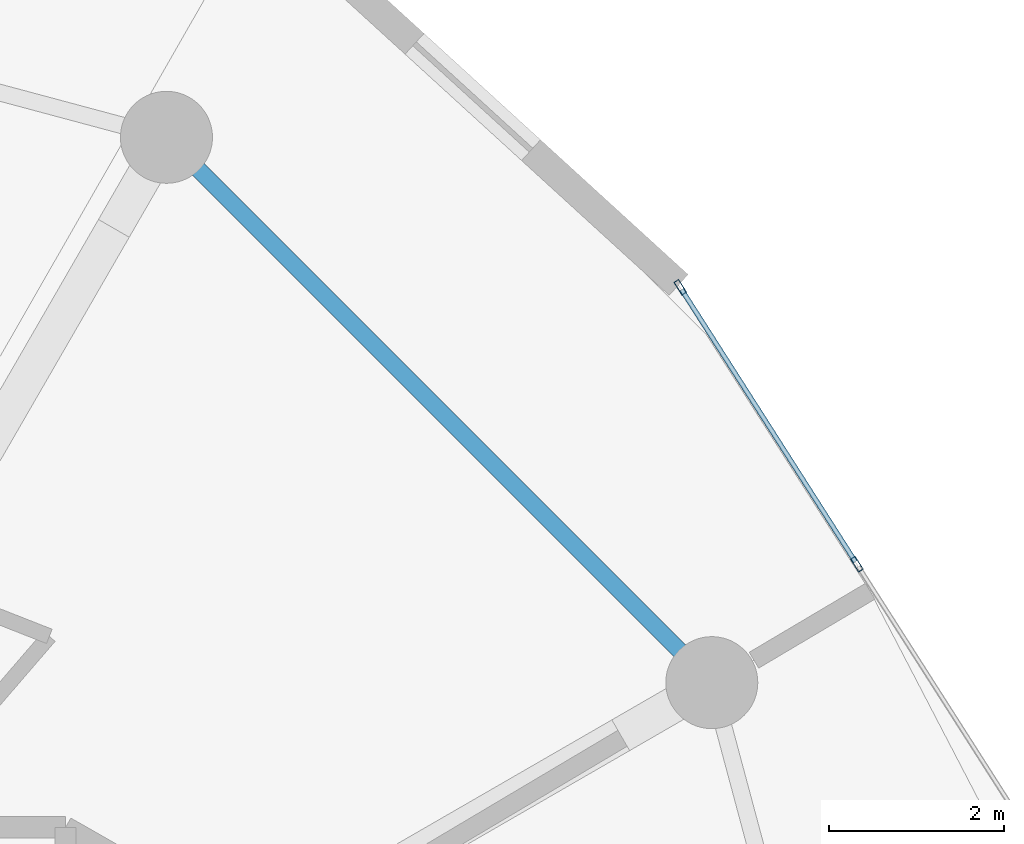
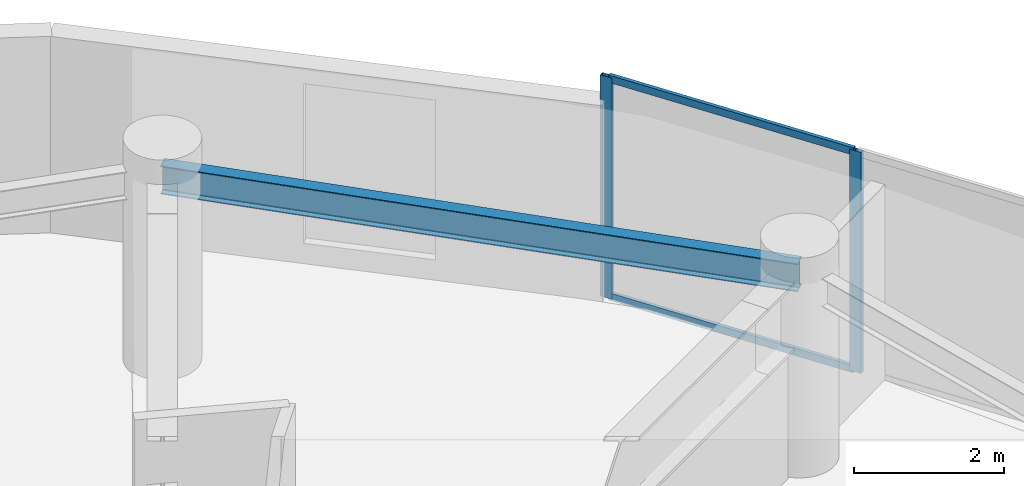
# One storey, part 15 of 22: 4 members, 1 beam, 1 element without a shape of its own.
"""IFC4 building model written with IfcOpenShell, lengths in metres."""

from ifc_helpers import new_model, si_unit, direction, frame, origin, origin_2d, place, context, subcontext, project, spatial, hollow_rectangle, i_section, extrude, source, transform, mapped, material, layer, layer_set, material_profile, profile_set, type_object, element, aggregate, save


model = new_model("IFC4")

# Units and contexts
model_context = context("Model", 3, precision=1e-05, world=origin(), true_north=direction((0.0, 1.0)))
body_context = subcontext(model_context, "Body", "Model", "MODEL_VIEW")
ifc_project = project(units=[si_unit("LENGTHUNIT", "METRE"), si_unit("AREAUNIT", "SQUARE_METRE"), si_unit("VOLUMEUNIT", "CUBIC_METRE"), si_unit("PLANEANGLEUNIT", "RADIAN"), si_unit("MASSUNIT", "GRAM", prefix="KILO")], contexts=[model_context])

# Site, building, storey
site_placement = place(None, origin())
site = spatial("IfcSite", under=ifc_project, at=site_placement, CompositionType="ELEMENT")
building_placement = place(site_placement, origin())
building = spatial("IfcBuilding", under=site, at=building_placement, Name="Solvirekh Grand Hotel", CompositionType="ELEMENT")
storey_placement = place(building_placement, frame((0.0, 0.0, 160.199951171875)))
storey = spatial("IfcBuildingStorey", under=building, at=storey_placement, Name="L41", CompositionType="ELEMENT", Elevation=160.199951171875)

# Beam
ifc_material_1 = material(Name="Steel S355", Category="steel")
ifc_material_profile_1 = material_profile(ifc_material_1, i_section(OverallWidth=0.18994140625, OverallDepth=0.45703125, WebThickness=0.009033203125, FlangeThickness=0.013916015625, FilletRadius=0.012939453125, at=origin_2d()), Name="W460X74")
ifc_profile_set_1 = profile_set([ifc_material_profile_1], Name="Steel S355")
beam_type = type_object("IfcBeamType", Name="Spandrel_Ring_W460", PredefinedType="SPANDREL", material=ifc_profile_set_1)
beam_placement = place(storey_placement, frame((14.721923828125, 8.5, 2.97216796875), z_axis=(-0.707106781187, 0.707106781187, 0.0), x_axis=(-0.707106781187, -0.707106781187, 0.0)))
element("IfcBeam", 1, at=beam_placement, inside=storey, type_object=beam_type, Name="L41 perimeter spandrel beam 2", PredefinedType="SPANDREL", context=body_context, shape_type="SweptSolid", body=[
    extrude(i_section(OverallWidth=0.18994140625, OverallDepth=0.45703125, WebThickness=0.009033203125, FlangeThickness=0.013916015625, FilletRadius=0.012939453125, at=origin_2d()), origin(), (0.0, 0.0, 1.0), 8.799072265625),
])

# Curtain wall, members
ifc_material_2 = material(Name="Anodized Bronze Aluminium 6063-T6", Category="aluminium")
ifc_layer = layer(ifc_material_2, 0.175048828125)
ifc_layer_set = layer_set([ifc_layer], Name="Anodized Bronze Aluminium 6063-T6")
curtain_wall_type = type_object("IfcCurtainWallType", Name="CW_Sys3_MidZoneFlushBronzeCW", PredefinedType="NOTDEFINED", material=ifc_layer_set)
curtain_wall_placement = place(storey_placement, origin())
curtain_wall = element("IfcCurtainWall", 2, at=curtain_wall_placement, inside=storey, type_object=curtain_wall_type, Name="L41 unitised bronze-glass curtain wall CW-L41-C05", PredefinedType="NOTDEFINED")
ifc_material_profile_2 = material_profile(ifc_material_2, hollow_rectangle(XDim=0.06494140625, YDim=0.175048828125, WallThickness=0.0048828125, at=origin_2d()), Name="ALU RHS 175X65X5")
ifc_profile_set_2 = profile_set([ifc_material_profile_2], Name="Anodized Bronze Aluminium 6063-T6")
member_type_1 = type_object("IfcMemberType", Name="CWMullion_Sys3", PredefinedType="MULLION", material=ifc_profile_set_2)
shared_shape_1 = source(origin(), body_context, "Body", "SweptSolid", [
    extrude(hollow_rectangle(XDim=0.06494140625, YDim=0.175048828125, WallThickness=0.0048828125, at=origin_2d()), origin(), (0.0, 0.0, 1.0), 3.60009765625),
])
member_1_placement = place(storey_placement, frame((16.37744140625, 9.85205078125, 0.0), z_axis=(0.0, 0.0, 1.0), x_axis=(-0.842936250751, -0.53801345445, 0.0)))
member_1 = element("IfcMember", 3, at=member_1_placement, type_object=member_type_1, Name="U03 mullion 2", PredefinedType="MULLION", context=body_context, shape_type="MappedRepresentation", body=[
    mapped(shared_shape_1, transform((0.0, 0.0, 0.0), x_axis=(1.0, 0.0, 0.0), y_axis=(0.0, 1.0, 0.0), z_axis=(0.0, 0.0, 1.0), scale=1.0)),
])
member_2_placement = place(storey_placement, frame((14.361572265625, 13.010498046875, 0.0), z_axis=(0.0, 0.0, 1.0), x_axis=(-0.842936250751, -0.53801345445, 0.0)))
member_2 = element("IfcMember", 4, at=member_2_placement, type_object=member_type_1, Name="U03 mullion 3", PredefinedType="MULLION", context=body_context, shape_type="MappedRepresentation", body=[
    mapped(shared_shape_1, transform((0.0, 0.0, 0.0), x_axis=(1.0, 0.0, 0.0), y_axis=(0.0, 1.0, 0.0), z_axis=(0.0, 0.0, 1.0), scale=1.0)),
])
ifc_material_profile_3 = material_profile(ifc_material_2, hollow_rectangle(XDim=0.054931640625, YDim=0.1201171875, WallThickness=0.00390625, at=origin_2d()), Name="ALU RHS 120X55X4")
ifc_profile_set_3 = profile_set([ifc_material_profile_3], Name="Anodized Bronze Aluminium 6063-T6")
member_type_2 = type_object("IfcMemberType", Name="CWTransom_Sys3", PredefinedType="USERDEFINED", material=ifc_profile_set_3)
shared_shape_2 = source(origin(), body_context, "Body", "SweptSolid", [
    extrude(hollow_rectangle(XDim=0.054931640625, YDim=0.1201171875, WallThickness=0.00390625, at=origin_2d()), origin(), (0.0, 0.0, 1.0), 3.68212890625),
])
member_3_placement = place(storey_placement, frame((16.360107421875, 9.87939453125, 0.027587890625), z_axis=(-0.538050487818, 0.842912612647, 0.0), x_axis=(-0.842912612647, -0.538050487818, 0.0)))
member_3 = element("IfcMember", 5, at=member_3_placement, type_object=member_type_2, Name="U03 transom 2.1", ObjectType="TRANSOM", PredefinedType="USERDEFINED", context=body_context, shape_type="MappedRepresentation", body=[
    mapped(shared_shape_2, transform((0.0, 0.0, 0.0), x_axis=(1.0, 0.0, 0.0), y_axis=(0.0, 1.0, 0.0), z_axis=(0.0, 0.0, 1.0), scale=1.0)),
])
member_4_placement = place(storey_placement, frame((16.360107421875, 9.87939453125, 3.572509765625), z_axis=(-0.538050487818, 0.842912612647, 0.0), x_axis=(-0.842912612647, -0.538050487818, 0.0)))
member_4 = element("IfcMember", 6, at=member_4_placement, type_object=member_type_2, Name="U03 transom 2.2", ObjectType="TRANSOM", PredefinedType="USERDEFINED", context=body_context, shape_type="MappedRepresentation", body=[
    mapped(shared_shape_2, transform((0.0, 0.0, 0.0), x_axis=(1.0, 0.0, 0.0), y_axis=(0.0, 1.0, 0.0), z_axis=(0.0, 0.0, 1.0), scale=1.0)),
])
aggregate(curtain_wall, [member_1, member_2, member_3, member_4])

save(model, "model.ifc")
